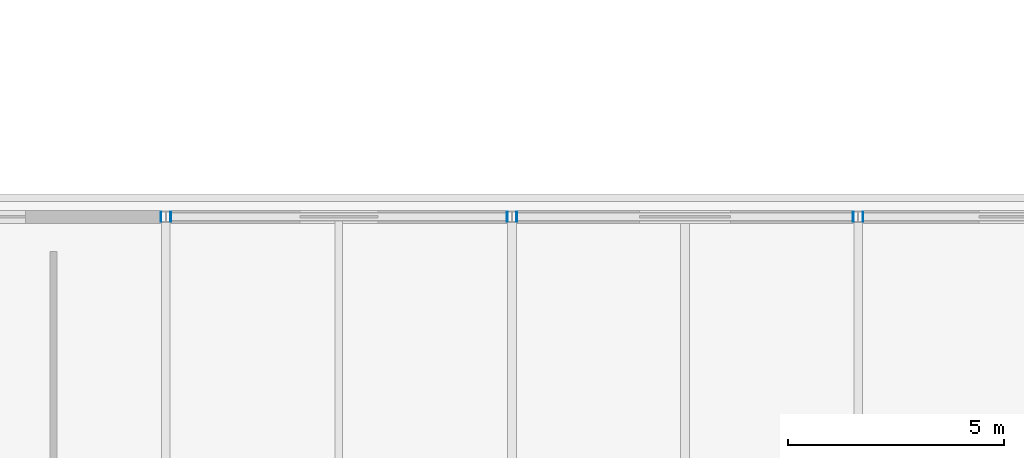
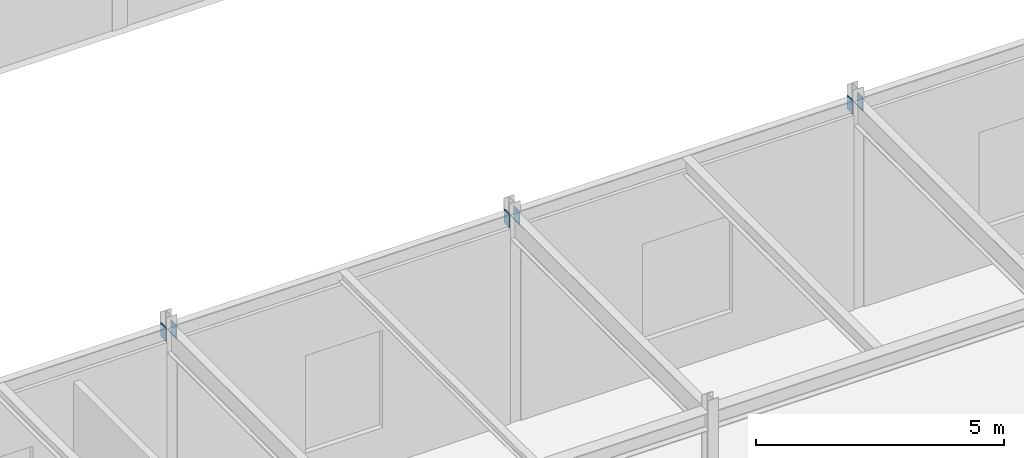
# One storey, part 153 of 184: 6 plates.
"""IFC4 building model written with IfcOpenShell, lengths in metres."""

from ifc_helpers import new_model, si_unit, direction, frame, origin, origin_2d, place, context, subcontext, project, spatial, rectangle, extrude, material, layer, layer_set, type_object, element, save


model = new_model("IFC4")

# Units and contexts
model_context = context("Model", 3, precision=1e-05, world=origin(), true_north=direction((0.0, 1.0)))
body_context = subcontext(model_context, "Body", "Model", "MODEL_VIEW")
ifc_project = project(units=[si_unit("LENGTHUNIT", "METRE"), si_unit("AREAUNIT", "SQUARE_METRE"), si_unit("VOLUMEUNIT", "CUBIC_METRE"), si_unit("PLANEANGLEUNIT", "RADIAN"), si_unit("MASSUNIT", "GRAM", prefix="KILO")], contexts=[model_context])

# Site, building, storey
site_placement = place(None, origin())
site = spatial("IfcSite", under=ifc_project, at=site_placement, CompositionType="ELEMENT")
building_placement = place(site_placement, origin())
building = spatial("IfcBuilding", under=site, at=building_placement, Name="Zhaolan Boulevard Law Courts", CompositionType="ELEMENT")
storey_placement = place(building_placement, frame((0.0, 0.0, 5.39990234375)))
storey = spatial("IfcBuildingStorey", under=building, at=storey_placement, Name="L01", CompositionType="ELEMENT", Elevation=5.39990234375)

# Plates
ifc_material = material(Name="Structural steel Q355B", Category="steel")
ifc_layer = layer(ifc_material, 0.02001953125)
ifc_layer_set = layer_set([ifc_layer])
plate_type = type_object("IfcPlateType", Name="END CAP PLATE 20", PredefinedType="SHEET", material=ifc_layer_set)
for number, where, z_axis, x_axis, name in (
    (1, (131.886962890625, 46.0, 4.802978515625), (0.0, 0.0, 1.0), (1.0, 0.0, 0.0), "Hollow Section End-Cap Plate ECP-0772"),
    (2, (132.113037109375, 46.0, 4.802978515625), (0.0, 0.0, 1.0), (1.0, 0.0, 0.0), "Hollow Section End-Cap Plate ECP-0773"),
    (3, (139.886962890625, 46.0, 4.802978515625), (0.0, 0.0, 1.0), (1.0, 0.0, 0.0), "Hollow Section End-Cap Plate ECP-0774"),
    (4, (140.113037109375, 46.0, 4.802978515625), (0.0, 0.0, 1.0), (1.0, 0.0, 0.0), "Hollow Section End-Cap Plate ECP-0775"),
    (5, (147.886962890625, 46.0, 4.802978515625), (0.0, 0.0, 1.0), (1.0, 0.0, 0.0), "Hollow Section End-Cap Plate ECP-0776"),
    (6, (148.113037109375, 46.0, 4.802978515625), (0.0, 0.0, 1.0), (1.0, 0.0, 0.0), "Hollow Section End-Cap Plate ECP-0777"),
):
    element("IfcPlate", number, at=place(storey_placement, frame(where, z_axis=z_axis, x_axis=x_axis)), inside=storey, type_object=plate_type, Name=name, PredefinedType="SHEET", context=body_context, shape_type="SweptSolid", body=[
        extrude(rectangle(XDim=0.02001953125, YDim=0.22998046875, at=origin_2d()), origin(), (0.0, 0.0, 1.0), 0.330078125),
    ])

save(model, "model.ifc")
